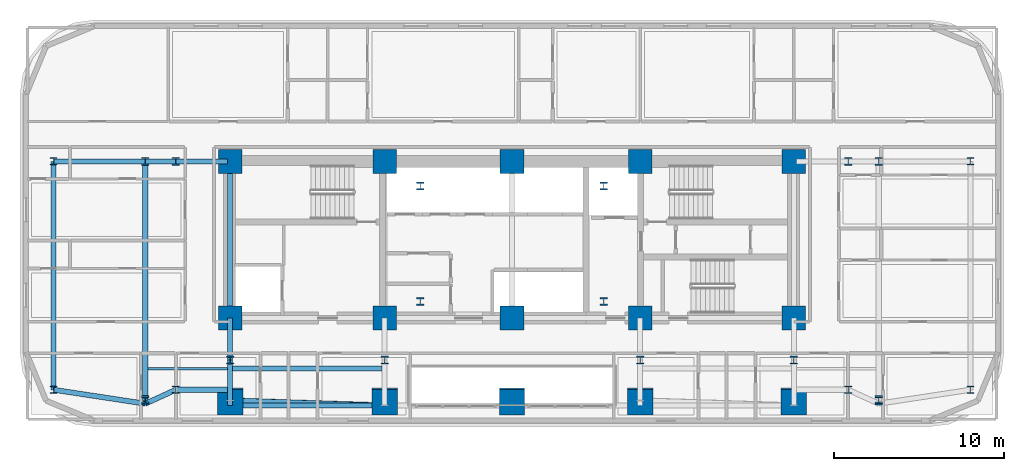
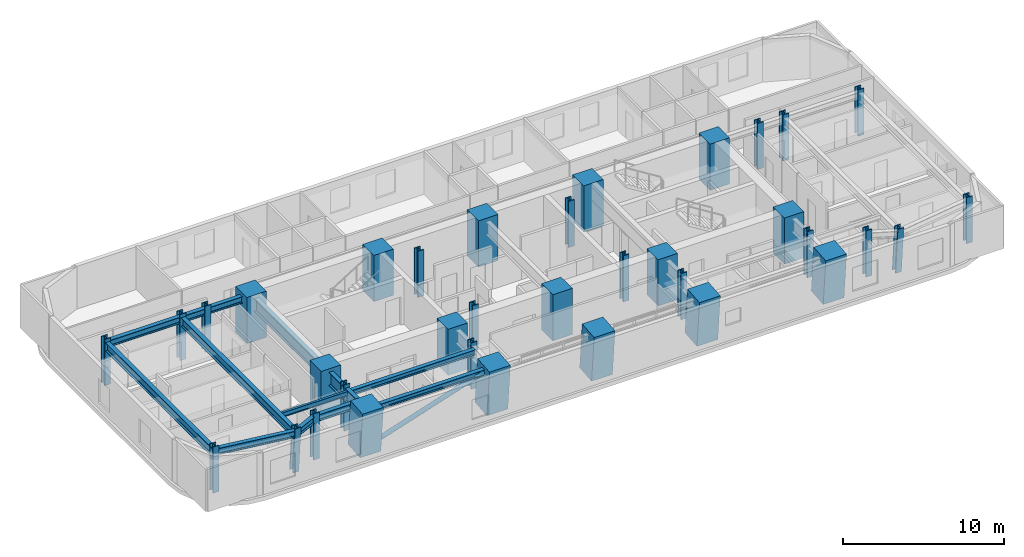
# One storey, part 1 of 15: 35 columns, 14 beams, 1 member.
"""IFC4 building model written with IfcOpenShell, lengths in metres."""

from ifc_helpers import new_model, si_unit, direction, frame, origin, origin_2d, place, context, subcontext, project, spatial, rectangle, hollow_circle, i_section, extrude, material, material_profile, profile_set, type_object, element, save


model = new_model("IFC4")

# Units and contexts
model_context = context("Model", 3, precision=1e-05, world=origin(), true_north=direction((0.0, 1.0)))
body_context = subcontext(model_context, "Body", "Model", "MODEL_VIEW")
ifc_project = project(units=[si_unit("LENGTHUNIT", "METRE"), si_unit("AREAUNIT", "SQUARE_METRE"), si_unit("VOLUMEUNIT", "CUBIC_METRE"), si_unit("PLANEANGLEUNIT", "RADIAN"), si_unit("MASSUNIT", "GRAM", prefix="KILO")], contexts=[model_context])

# Site, building, storey
site_placement = place(None, origin())
site = spatial("IfcSite", under=ifc_project, at=site_placement, CompositionType="ELEMENT")
building_placement = place(site_placement, origin())
building = spatial("IfcBuilding", under=site, at=building_placement, Name="Zarnavel Station Tower", CompositionType="ELEMENT")
storey_placement = place(building_placement, frame((0.0, 0.0, 36.0)))
storey = spatial("IfcBuildingStorey", under=building, at=storey_placement, Name="L09", CompositionType="ELEMENT", Elevation=36.0)

# Columns
ifc_material_1 = material(Name="Steel S460M", Category="steel")
ifc_material_profile_1 = material_profile(ifc_material_1, i_section(OverallWidth=0.424072265625, OverallDepth=0.449951171875, WebThickness=0.041015625, FlangeThickness=0.06494140625, FilletRadius=0.014892578125, at=origin_2d()), Name="HD400x509")
ifc_profile_set_1 = profile_set([ifc_material_profile_1], Name="Steel S460M")
column_type_1 = type_object("IfcColumnType", Name="EC_HD509", PredefinedType="COLUMN", material=ifc_profile_set_1)
for number, where, z_axis, x_axis, name in (
    (1, (1.800048828125, 23.60009765625, 0.0), (0.0, 0.0, 1.0), (1.0, 0.0, 0.0), "L09 Outer Wing South Column 1"),
    (2, (1.800048828125, 37.050048828125, 0.0), (0.0, 0.0, 1.0), (1.0, 0.0, 0.0), "L09 Outer Wing North Column 1"),
):
    element("IfcColumn", number, at=place(storey_placement, frame(where, z_axis=z_axis, x_axis=x_axis)), inside=storey, type_object=column_type_1, Name=name, PredefinedType="COLUMN", context=body_context, shape_type="SweptSolid", body=[
        extrude(i_section(OverallWidth=0.424072265625, OverallDepth=0.449951171875, WebThickness=0.041015625, FlangeThickness=0.06494140625, FilletRadius=0.014892578125, at=origin_2d()), origin(), (0.0, 0.0, 1.0), 3.5),
    ])
for number, where, z_axis, x_axis, name in (
    (3, (7.199951171875, 23.0390625, 0.0), (0.0, -0.079960777917, 0.996798010629), (1.0, 0.0, 0.0), "L09 Raked Wing Column 2"),
    (4, (50.39990234375, 23.0390625, 0.0), (0.0, -0.079960777917, 0.996798010629), (1.0, 0.0, 0.0), "L09 Raked Wing Column 3"),
):
    element("IfcColumn", number, at=place(storey_placement, frame(where, z_axis=z_axis, x_axis=x_axis)), inside=storey, type_object=column_type_1, Name=name, PredefinedType="COLUMN", context=body_context, shape_type="SweptSolid", body=[
        extrude(i_section(OverallWidth=0.424072265625, OverallDepth=0.449951171875, WebThickness=0.041015625, FlangeThickness=0.06494140625, FilletRadius=0.014892578125, at=origin_2d()), origin(), (0.0, 0.0, 1.0), 3.51123046875),
    ])
for number, where, z_axis, x_axis, name in (
    (5, (55.800048828125, 23.60009765625, 0.0), (0.0, 0.0, 1.0), (1.0, 0.0, 0.0), "L09 Outer Wing South Column 4"),
    (6, (55.800048828125, 37.050048828125, 0.0), (0.0, 0.0, 1.0), (1.0, 0.0, 0.0), "L09 Outer Wing North Column 4"),
):
    element("IfcColumn", number, at=place(storey_placement, frame(where, z_axis=z_axis, x_axis=x_axis)), inside=storey, type_object=column_type_1, Name=name, PredefinedType="COLUMN", context=body_context, shape_type="SweptSolid", body=[
        extrude(i_section(OverallWidth=0.424072265625, OverallDepth=0.449951171875, WebThickness=0.041015625, FlangeThickness=0.06494140625, FilletRadius=0.014892578125, at=origin_2d()), origin(), (0.0, 0.0, 1.0), 3.5),
    ])
ifc_material_2 = material(Name="Steel S460M", Category="steel")
ifc_material_profile_2 = material_profile(ifc_material_2, i_section(OverallWidth=0.427978515625, OverallDepth=0.465087890625, WebThickness=0.044921875, FlangeThickness=0.072998046875, FilletRadius=0.014892578125, at=origin_2d()), Name="HD400x592")
ifc_profile_set_2 = profile_set([ifc_material_profile_2], Name="Steel S460M")
column_type_2 = type_object("IfcColumnType", Name="IC_HD592", PredefinedType="COLUMN", material=ifc_profile_set_2)
for number, where, z_axis, x_axis, name in (
    (7, (23.39990234375, 28.800048828125, 0.0), (0.0, 0.0, 1.0), (1.0, 0.0, 0.0), "L09 Mast Spine Column 1"),
    (8, (34.199951171875, 28.800048828125, 0.0), (0.0, 0.0, 1.0), (1.0, 0.0, 0.0), "L09 Mast Spine Column 2"),
    (9, (34.199951171875, 35.60009765625, 0.0), (0.0, 0.0, 1.0), (1.0, 0.0, 0.0), "L09 Mast Spine Column 3"),
    (10, (23.39990234375, 35.60009765625, 0.0), (0.0, 0.0, 1.0), (1.0, 0.0, 0.0), "L09 Mast Spine Column 4"),
    (11, (12.199951171875, 25.35009765625, 0.0), (0.0, 0.0, 1.0), (1.0, 0.0, 0.0), "L09 Inner Spine Column 1"),
    (12, (21.300048828125, 25.35009765625, 0.0), (0.0, 0.0, 1.0), (1.0, 0.0, 0.0), "L09 Inner Spine Column 2"),
    (13, (36.35009765625, 25.35009765625, 0.0), (0.0, 0.0, 1.0), (1.0, 0.0, 0.0), "L09 Inner Spine Column 4"),
    (14, (45.39990234375, 25.35009765625, 0.0), (0.0, 0.0, 1.0), (1.0, 0.0, 0.0), "L09 Inner Spine Column 5"),
    (15, (9.0, 23.60009765625, 0.0), (0.0, 0.0, 1.0), (1.0, 0.0, 0.0), "L09 Inner Wing Spine Column 1-1"),
    (16, (9.0, 37.050048828125, 0.0), (0.0, 0.0, 1.0), (1.0, 0.0, 0.0), "L09 Inner Wing Spine Column 1-2"),
    (17, (48.60009765625, 23.60009765625, 0.0), (0.0, 0.0, 1.0), (1.0, 0.0, 0.0), "L09 Inner Wing Spine Column 2-1"),
    (18, (48.60009765625, 37.050048828125, 0.0), (0.0, 0.0, 1.0), (1.0, 0.0, 0.0), "L09 Inner Wing Spine Column 2-2"),
    (19, (7.199951171875, 37.050048828125, 0.0), (0.0, 0.0, 1.0), (1.0, 0.0, 0.0), "L09 Outer Wing North Column 2"),
    (20, (50.39990234375, 37.050048828125, 0.0), (0.0, 0.0, 1.0), (1.0, 0.0, 0.0), "L09 Outer Wing North Column 3"),
):
    element("IfcColumn", number, at=place(storey_placement, frame(where, z_axis=z_axis, x_axis=x_axis)), inside=storey, type_object=column_type_2, Name=name, PredefinedType="COLUMN", context=body_context, shape_type="SweptSolid", body=[
        extrude(i_section(OverallWidth=0.427978515625, OverallDepth=0.465087890625, WebThickness=0.044921875, FlangeThickness=0.072998046875, FilletRadius=0.014892578125, at=origin_2d()), origin(), (0.0, 0.0, 1.0), 3.5),
    ])
ifc_material_3 = material(Name="Concrete C60/75", Category="concrete")
ifc_material_profile_3 = material_profile(ifc_material_3, rectangle(XDim=1.39990234375, YDim=1.39990234375, at=origin_2d()), Name="RC1400x1400")
ifc_profile_set_3 = profile_set([ifc_material_profile_3], Name="Concrete C60/75")
column_type_3 = type_object("IfcColumnType", Name="IC_RC1400", PredefinedType="COLUMN", material=ifc_profile_set_3)
for number, where, z_axis, x_axis, name in (
    (21, (12.199951171875, 27.820068359375, 0.0), (0.0, 0.0, 1.0), (1.0, 0.0, 0.0), "L09 Core Spine Column 1-1"),
    (22, (12.199951171875, 37.050048828125, 0.0), (0.0, 0.0, 1.0), (1.0, 0.0, 0.0), "L09 Core Spine Column 1-2"),
    (23, (21.300048828125, 27.820068359375, 0.0), (0.0, 0.0, 1.0), (1.0, 0.0, 0.0), "L09 Core Spine Column 2-1"),
    (24, (21.300048828125, 37.050048828125, 0.0), (0.0, 0.0, 1.0), (1.0, 0.0, 0.0), "L09 Core Spine Column 2-2"),
    (25, (28.800048828125, 27.820068359375, 0.0), (0.0, 0.0, 1.0), (1.0, 0.0, 0.0), "L09 Core Spine Column 3-1"),
    (26, (28.800048828125, 37.050048828125, 0.0), (0.0, 0.0, 1.0), (1.0, 0.0, 0.0), "L09 Core Spine Column 3-2"),
    (27, (36.35009765625, 27.820068359375, 0.0), (0.0, 0.0, 1.0), (1.0, 0.0, 0.0), "L09 Core Spine Column 4-1"),
    (28, (36.35009765625, 37.050048828125, 0.0), (0.0, 0.0, 1.0), (1.0, 0.0, 0.0), "L09 Core Spine Column 4-2"),
    (29, (45.39990234375, 27.820068359375, 0.0), (0.0, 0.0, 1.0), (1.0, 0.0, 0.0), "L09 Core Spine Column 5-1"),
    (30, (45.39990234375, 37.050048828125, 0.0), (0.0, 0.0, 1.0), (1.0, 0.0, 0.0), "L09 Core Spine Column 5-2"),
):
    element("IfcColumn", number, at=place(storey_placement, frame(where, z_axis=z_axis, x_axis=x_axis)), inside=storey, type_object=column_type_3, Name=name, PredefinedType="COLUMN", context=body_context, shape_type="SweptSolid", body=[
        extrude(rectangle(XDim=1.39990234375, YDim=1.39990234375, at=origin_2d()), origin(), (0.0, 0.0, 1.0), 3.5),
    ])
ifc_material_4 = material(Name="Concrete C60/75", Category="concrete")
ifc_material_profile_4 = material_profile(ifc_material_4, rectangle(XDim=1.5, YDim=1.5, at=origin_2d()), Name="RC1500x1500")
ifc_profile_set_4 = profile_set([ifc_material_profile_4], Name="Concrete C60/75")
column_type_4 = type_object("IfcColumnType", Name="MC_RC1500", PredefinedType="COLUMN", material=ifc_profile_set_4)
for number, where, z_axis, x_axis, name in (
    (31, (12.199951171875, 22.9658203125, 0.0), (0.0, -0.090310252801, 0.995913680114), (1.0, 0.0, 0.0), "L09 Raked South Mega-Column 1"),
    (32, (21.300048828125, 22.9658203125, 0.0), (0.0, -0.090310252801, 0.995913680114), (1.0, 0.0, 0.0), "L09 Raked South Mega-Column 2"),
    (33, (28.800048828125, 22.9658203125, 0.0), (0.0, -0.090310252801, 0.995913680114), (1.0, 0.0, 0.0), "L09 Raked South Mega-Column 3"),
    (34, (36.35009765625, 22.9658203125, 0.0), (0.0, -0.090310252801, 0.995913680114), (1.0, 0.0, 0.0), "L09 Raked South Mega-Column 4"),
    (35, (45.39990234375, 22.9658203125, 0.0), (0.0, -0.090310252801, 0.995913680114), (1.0, 0.0, 0.0), "L09 Raked South Mega-Column 5"),
):
    element("IfcColumn", number, at=place(storey_placement, frame(where, z_axis=z_axis, x_axis=x_axis)), inside=storey, type_object=column_type_4, Name=name, PredefinedType="COLUMN", context=body_context, shape_type="SweptSolid", body=[
        extrude(rectangle(XDim=1.5, YDim=1.5, at=origin_2d()), origin(), (0.0, 0.0, 1.0), 3.514404296875),
    ])

# Member
ifc_material_5 = material(Name="Steel S355J2", Category="steel")
ifc_material_profile_5 = material_profile(ifc_material_5, hollow_circle(Radius=0.161865234375, WallThickness=0.012451171875, at=origin_2d()), Name="CHS323.9x12.5")
ifc_profile_set_5 = profile_set([ifc_material_profile_5], Name="Steel S355J2")
member_type = type_object("IfcMemberType", Name="DB_EXT_CHS324", PredefinedType="BRACE", material=ifc_profile_set_5)
member_placement = place(storey_placement, frame((12.199951171875, 22.9658203125, 0.0), z_axis=(0.941635675338, -0.030390827854, 0.335259082669), x_axis=(0.032257711549, 0.999479584607, 0.0)))
element("IfcMember", 36, at=member_placement, inside=storey, type_object=member_type, Name="L09 Persian Exterior Diagonal Frame Brace 1", PredefinedType="BRACE", context=body_context, shape_type="SweptSolid", body=[
    extrude(hollow_circle(Radius=0.161865234375, WallThickness=0.012451171875, at=origin_2d()), origin(), (0.0, 0.0, 1.0), 9.6640625),
])

# Beams
ifc_material_6 = material(Name="Steel S355J2", Category="steel")
ifc_material_profile_6 = material_profile(ifc_material_6, i_section(OverallWidth=0.300048828125, OverallDepth=0.39990234375, WebThickness=0.013427734375, FlangeThickness=0.02392578125, FilletRadius=0.027099609375, at=origin_2d()), Name="HEB400")
ifc_profile_set_6 = profile_set([ifc_material_profile_6], Name="Steel S355J2")
beam_type_1 = type_object("IfcBeamType", Name="EB_HEB400", PredefinedType="SPANDREL", material=ifc_profile_set_6)
beam_1_placement = place(storey_placement, frame((12.199951171875, 22.672119140625, 3.0400390625), z_axis=(1.0, 0.0, 0.0), x_axis=(0.0, 1.0, 0.0)))
element("IfcBeam", 37, at=beam_1_placement, inside=storey, type_object=beam_type_1, Name="L09 South Raked Spandrel 1", PredefinedType="SPANDREL", context=body_context, shape_type="SweptSolid", body=[
    extrude(i_section(OverallWidth=0.300048828125, OverallDepth=0.39990234375, WebThickness=0.013427734375, FlangeThickness=0.02392578125, FilletRadius=0.027099609375, at=origin_2d()), origin(), (0.0, 0.0, 1.0), 9.10009765625),
])
ifc_material_7 = material(Name="Steel S355J2", Category="steel")
ifc_material_profile_7 = material_profile(ifc_material_7, i_section(OverallWidth=0.300048828125, OverallDepth=0.389892578125, WebThickness=0.010986328125, FlangeThickness=0.01904296875, FilletRadius=0.027099609375, at=origin_2d()), Name="HEA400")
ifc_profile_set_7 = profile_set([ifc_material_profile_7], Name="Steel S355J2")
beam_type_2 = type_object("IfcBeamType", Name="FB_HEA400", PredefinedType="BEAM", material=ifc_profile_set_7)
beam_2_placement = place(storey_placement, frame((12.344970703125, 24.8408203125, 3.044921875), z_axis=(1.0, 0.0, 0.0), x_axis=(0.0, 1.0, 0.0)))
element("IfcBeam", 38, at=beam_2_placement, inside=storey, type_object=beam_type_2, Name="L09 West Bay Beam 2", PredefinedType="BEAM", context=body_context, shape_type="SweptSolid", body=[
    extrude(i_section(OverallWidth=0.300048828125, OverallDepth=0.389892578125, WebThickness=0.010986328125, FlangeThickness=0.01904296875, FilletRadius=0.027099609375, at=origin_2d()), origin(), (0.0, 0.0, 1.0), 8.81005859375),
])
ifc_material_8 = material(Name="Steel S355J2", Category="steel")
ifc_material_profile_8 = material_profile(ifc_material_8, i_section(OverallWidth=0.300048828125, OverallDepth=0.5, WebThickness=0.014404296875, FlangeThickness=0.028076171875, FilletRadius=0.027099609375, at=origin_2d()), Name="HEB500")
ifc_profile_set_8 = profile_set([ifc_material_profile_8], Name="Steel S355J2")
beam_type_3 = type_object("IfcBeamType", Name="FG_HEB500", PredefinedType="USERDEFINED", material=ifc_profile_set_8)
beam_3_placement = place(storey_placement, frame((1.800048828125, 23.60009765625, 2.989990234375), z_axis=(0.988643970371, -0.150276744208, 0.0), x_axis=(0.150276744208, 0.988643970371, 0.0)))
element("IfcBeam", 39, at=beam_3_placement, inside=storey, type_object=beam_type_3, Name="L09 West Wing South Tie 1", ObjectType="GIRDER", PredefinedType="USERDEFINED", context=body_context, shape_type="SweptSolid", body=[
    extrude(i_section(OverallWidth=0.300048828125, OverallDepth=0.5, WebThickness=0.014404296875, FlangeThickness=0.028076171875, FilletRadius=0.027099609375, at=origin_2d()), origin(), (0.0, 0.0, 1.0), 5.4619140625),
])
beam_4_placement = place(storey_placement, frame((1.800048828125, 37.050048828125, 2.989990234375), z_axis=(1.0, 0.0, 0.0), x_axis=(0.0, 1.0, 0.0)))
element("IfcBeam", 40, at=beam_4_placement, inside=storey, type_object=beam_type_3, Name="L09 West Wing North Tie 1", ObjectType="GIRDER", PredefinedType="USERDEFINED", context=body_context, shape_type="SweptSolid", body=[
    extrude(i_section(OverallWidth=0.300048828125, OverallDepth=0.5, WebThickness=0.014404296875, FlangeThickness=0.028076171875, FilletRadius=0.027099609375, at=origin_2d()), origin(), (0.0, 0.0, 1.0), 5.39990234375),
])
beam_5_placement = place(storey_placement, frame((7.199951171875, 22.779296875, 2.989990234375), z_axis=(0.909871358857, 0.414890479924, 0.0), x_axis=(-0.414890479924, 0.909871358857, 0.0)))
element("IfcBeam", 41, at=beam_5_placement, inside=storey, type_object=beam_type_3, Name="L09 West Wing South Tie 2", ObjectType="GIRDER", PredefinedType="USERDEFINED", context=body_context, shape_type="SweptSolid", body=[
    extrude(i_section(OverallWidth=0.300048828125, OverallDepth=0.5, WebThickness=0.014404296875, FlangeThickness=0.028076171875, FilletRadius=0.027099609375, at=origin_2d()), origin(), (0.0, 0.0, 1.0), 1.978271484375),
])
beam_6_placement = place(storey_placement, frame((7.199951171875, 37.050048828125, 2.989990234375), z_axis=(1.0, 0.0, 0.0), x_axis=(0.0, 1.0, 0.0)))
element("IfcBeam", 42, at=beam_6_placement, inside=storey, type_object=beam_type_3, Name="L09 West Wing North Tie 2", ObjectType="GIRDER", PredefinedType="USERDEFINED", context=body_context, shape_type="SweptSolid", body=[
    extrude(i_section(OverallWidth=0.300048828125, OverallDepth=0.5, WebThickness=0.014404296875, FlangeThickness=0.028076171875, FilletRadius=0.027099609375, at=origin_2d()), origin(), (0.0, 0.0, 1.0), 1.800048828125),
])
for number, where, z_axis, x_axis, name in (
    (43, (9.0, 23.60009765625, 2.989990234375), (1.0, 0.0, 0.0), (0.0, 1.0, 0.0), "L09 West Wing South Tie 3"),
    (44, (9.0, 37.050048828125, 2.989990234375), (1.0, 0.0, 0.0), (0.0, 1.0, 0.0), "L09 West Wing North Tie 3"),
):
    element("IfcBeam", number, at=place(storey_placement, frame(where, z_axis=z_axis, x_axis=x_axis)), inside=storey, type_object=beam_type_3, Name=name, ObjectType="GIRDER", PredefinedType="USERDEFINED", context=body_context, shape_type="SweptSolid", body=[
        extrude(i_section(OverallWidth=0.300048828125, OverallDepth=0.5, WebThickness=0.014404296875, FlangeThickness=0.028076171875, FilletRadius=0.027099609375, at=origin_2d()), origin(), (0.0, 0.0, 1.0), 3.054931640625),
    ])
ifc_material_9 = material(Name="Steel S355J2", Category="steel")
ifc_material_profile_9 = material_profile(ifc_material_9, i_section(OverallWidth=0.300048828125, OverallDepth=0.64990234375, WebThickness=0.01611328125, FlangeThickness=0.031005859375, FilletRadius=0.027099609375, at=origin_2d()), Name="HEB650")
ifc_profile_set_9 = profile_set([ifc_material_profile_9], Name="Steel S355J2")
beam_type_4 = type_object("IfcBeamType", Name="FG_HEB650", PredefinedType="USERDEFINED", material=ifc_profile_set_9)
beam_7_placement = place(storey_placement, frame((1.800048828125, 23.60009765625, 2.9150390625), z_axis=(0.0, 1.0, 0.0), x_axis=(-1.0, 0.0, 0.0)))
element("IfcBeam", 45, at=beam_7_placement, inside=storey, type_object=beam_type_4, Name="L09 Wing NS Girder 1", ObjectType="GIRDER", PredefinedType="USERDEFINED", context=body_context, shape_type="SweptSolid", body=[
    extrude(i_section(OverallWidth=0.300048828125, OverallDepth=0.64990234375, WebThickness=0.01611328125, FlangeThickness=0.031005859375, FilletRadius=0.027099609375, at=origin_2d()), origin(), (0.0, 0.0, 1.0), 13.449951171875),
])
beam_8_placement = place(storey_placement, frame((7.199951171875, 22.779296875, 2.9150390625), z_axis=(0.0, 1.0, 0.0), x_axis=(-1.0, 0.0, 0.0)))
element("IfcBeam", 46, at=beam_8_placement, inside=storey, type_object=beam_type_4, Name="L09 Wing NS Girder 2", ObjectType="GIRDER", PredefinedType="USERDEFINED", context=body_context, shape_type="SweptSolid", body=[
    extrude(i_section(OverallWidth=0.300048828125, OverallDepth=0.64990234375, WebThickness=0.01611328125, FlangeThickness=0.031005859375, FilletRadius=0.027099609375, at=origin_2d()), origin(), (0.0, 0.0, 1.0), 14.270751953125),
])
ifc_material_10 = material(Name="Steel S355J2", Category="steel")
ifc_material_profile_10 = material_profile(ifc_material_10, i_section(OverallWidth=0.169921875, OverallDepth=0.360107421875, WebThickness=0.008056640625, FlangeThickness=0.0126953125, FilletRadius=0.01806640625, at=origin_2d()), Name="IPE360")
ifc_profile_set_10 = profile_set([ifc_material_profile_10], Name="Steel S355J2")
beam_type_5 = type_object("IfcBeamType", Name="FJ_IPE360", PredefinedType="JOIST", material=ifc_profile_set_10)
beam_9_placement = place(storey_placement, frame((7.344970703125, 24.8408203125, 3.06005859375), z_axis=(1.0, 0.0, 0.0), x_axis=(0.0, 1.0, 0.0)))
element("IfcBeam", 47, at=beam_9_placement, inside=storey, type_object=beam_type_5, Name="L09 West Wing Joist 2", PredefinedType="JOIST", context=body_context, shape_type="SweptSolid", body=[
    extrude(i_section(OverallWidth=0.169921875, OverallDepth=0.360107421875, WebThickness=0.008056640625, FlangeThickness=0.0126953125, FilletRadius=0.01806640625, at=origin_2d()), origin(), (0.0, 0.0, 1.0), 4.7099609375),
])
ifc_material_11 = material(Name="Steel S460M", Category="steel")
ifc_material_profile_11 = material_profile(ifc_material_11, i_section(OverallWidth=0.302001953125, OverallDepth=1.008056640625, WebThickness=0.02099609375, FlangeThickness=0.0400390625, FilletRadius=0.030029296875, at=origin_2d()), Name="HEM1000")
ifc_profile_set_11 = profile_set([ifc_material_profile_11], Name="Steel S460M")
beam_type_6 = type_object("IfcBeamType", Name="TG_HEM1000", PredefinedType="USERDEFINED", material=ifc_profile_set_11)
beam_10_placement = place(storey_placement, frame((12.199951171875, 27.820068359375, 2.736083984375), z_axis=(0.0, 1.0, 0.0), x_axis=(-1.0, 0.0, 0.0)))
element("IfcBeam", 48, at=beam_10_placement, inside=storey, type_object=beam_type_6, Name="L09 Core Spine Coupling Girder 1", ObjectType="GIRDER", PredefinedType="USERDEFINED", context=body_context, shape_type="SweptSolid", body=[
    extrude(i_section(OverallWidth=0.302001953125, OverallDepth=1.008056640625, WebThickness=0.02099609375, FlangeThickness=0.0400390625, FilletRadius=0.030029296875, at=origin_2d()), origin(), (0.0, 0.0, 1.0), 9.22998046875),
])
beam_11_placement = place(storey_placement, frame((12.199951171875, 22.672119140625, 2.736083984375), z_axis=(0.0, 1.0, 0.0), x_axis=(-1.0, 0.0, 0.0)))
element("IfcBeam", 49, at=beam_11_placement, inside=storey, type_object=beam_type_6, Name="L09 South-Zone NS Girder 1", ObjectType="GIRDER", PredefinedType="USERDEFINED", context=body_context, shape_type="SweptSolid", body=[
    extrude(i_section(OverallWidth=0.302001953125, OverallDepth=1.008056640625, WebThickness=0.02099609375, FlangeThickness=0.0400390625, FilletRadius=0.030029296875, at=origin_2d()), origin(), (0.0, 0.0, 1.0), 2.677978515625),
])
beam_12_placement = place(storey_placement, frame((12.199951171875, 25.35009765625, 2.736083984375), z_axis=(0.0, 1.0, 0.0), x_axis=(-1.0, 0.0, 0.0)))
element("IfcBeam", 50, at=beam_12_placement, inside=storey, type_object=beam_type_6, Name="L09 Inner-Zone NS Girder 1", ObjectType="GIRDER", PredefinedType="USERDEFINED", context=body_context, shape_type="SweptSolid", body=[
    extrude(i_section(OverallWidth=0.302001953125, OverallDepth=1.008056640625, WebThickness=0.02099609375, FlangeThickness=0.0400390625, FilletRadius=0.030029296875, at=origin_2d()), origin(), (0.0, 0.0, 1.0), 2.469970703125),
])

save(model, "model.ifc")
